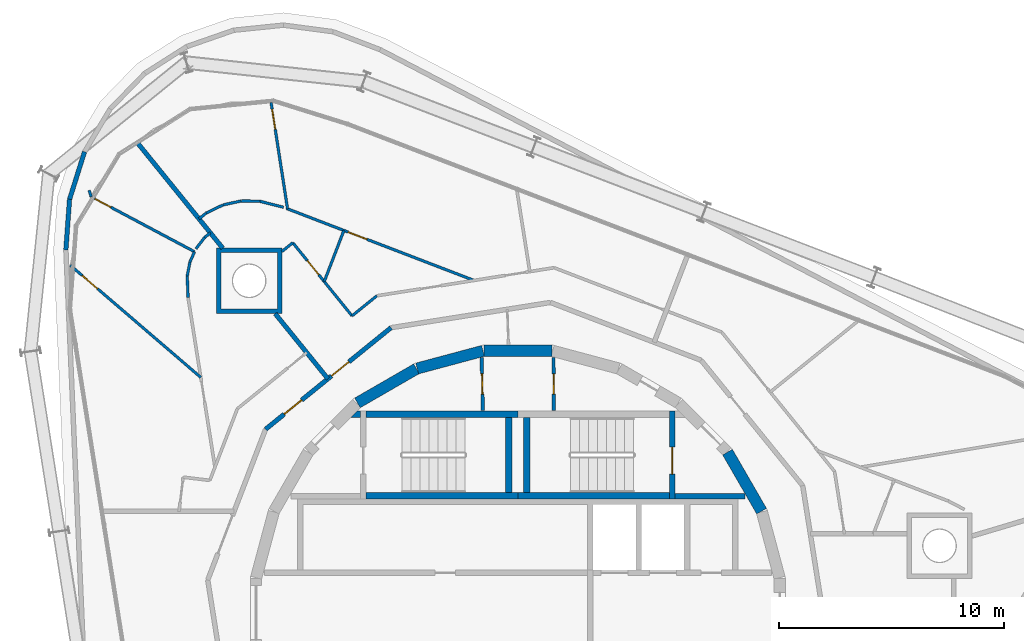
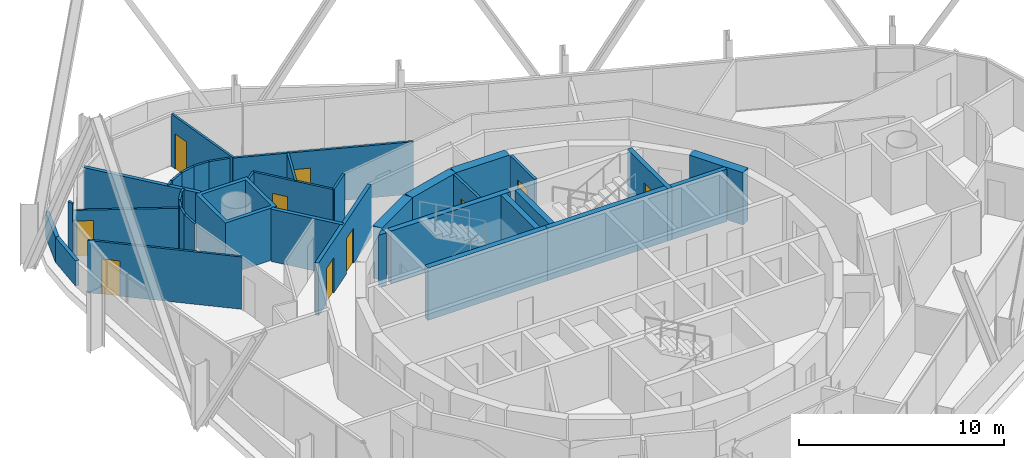
# One storey, part 15 of 19: 39 walls, 10 doors, 10 openings.
"""IFC4 building model written with IfcOpenShell, lengths in metres."""

import ifcopenshell
import ifcopenshell.guid

model = None  # the IFC model being written
_history = None  # IfcOwnerHistory: only IFC2X3 demands one
_inside = {}  # id of a spatial element -> (the spatial element, [elements in it])
_under = {}  # id of a project, library or spatial element -> (it, [spatial elements below it])
_declared = {}  # id of a project -> (the project, [libraries it declares])
_typed = {}  # id of a type object -> (the type object, [elements of that type])
_made_of = {}  # id of a material, layer set ... -> (it, [elements and type objects made of it])


def new_model(schema):
    """Start an empty IFC model of exactly this schema.

    Asked for "IFC4X3", IfcOpenShell would pick the latest addendum, in which some entities
    have other attributes; the version numbers below select the first issue.
    IFC2X3 requires an IfcOwnerHistory on every rooted entity: one is made here for all.
    """
    global model, _history
    if schema == "IFC4X3":
        model = ifcopenshell.file(schema_version=(4, 3, 0, 0))
    else:
        model = ifcopenshell.file(schema=schema)
    _inside.clear()
    _under.clear()
    _declared.clear()
    _typed.clear()
    _made_of.clear()
    _history = None
    if model.schema == "IFC2X3":
        org = make("IfcOrganization", Name="unknown")
        user = make(
            "IfcPersonAndOrganization",
            ThePerson=make("IfcPerson", FamilyName="unknown"),
            TheOrganization=org,
        )
        app = make(
            "IfcApplication",
            ApplicationDeveloper=org,
            Version="unknown",
            ApplicationFullName="unknown",
            ApplicationIdentifier="unknown",
        )
        _history = make(
            "IfcOwnerHistory",
            OwningUser=user,
            OwningApplication=app,
            ChangeAction="ADDED",
            CreationDate=0,
        )
    return model


def make(cls, **values):
    """One entity of the class cls with the attributes given. An attribute that is None is left unset."""
    return model.create_entity(
        cls, **{name: value for name, value in values.items() if value is not None}
    )


def rooted(cls, **values):
    """An entity with a GlobalId (a new one), such as an element, a storey or a relation."""
    return make(cls, GlobalId=ifcopenshell.guid.new(), OwnerHistory=_history, **values)


def si_unit(unit_type, name, prefix=None):
    """IfcSIUnit, for example si_unit("LENGTHUNIT", "METRE", prefix="MILLI")."""
    return make("IfcSIUnit", UnitType=unit_type, Prefix=prefix, Name=name)


def assignment(units):
    """IfcUnitAssignment: the units of a project."""
    return None if units is None else make("IfcUnitAssignment", Units=units)


def point(xyz):
    """IfcCartesianPoint."""
    return None if xyz is None else make("IfcCartesianPoint", Coordinates=xyz)


def direction(xyz):
    """IfcDirection."""
    return None if xyz is None else make("IfcDirection", DirectionRatios=xyz)


def frame(location, z_axis=None, x_axis=None):
    """IfcAxis2Placement3D, a coordinate frame: its origin and axes. An axis left out is left unset."""
    return make(
        "IfcAxis2Placement3D",
        Location=point(location),
        Axis=direction(z_axis),
        RefDirection=direction(x_axis),
    )


def frame_2d(location, x_axis=None):
    """IfcAxis2Placement2D, a coordinate frame in the plane: its origin and x axis."""
    return make(
        "IfcAxis2Placement2D", Location=point(location), RefDirection=direction(x_axis)
    )


def origin():
    """The frame at (0, 0, 0) with its axes left unset."""
    return frame((0.0, 0.0, 0.0))


def place(relative_to, where):
    """IfcLocalPlacement: puts the frame where relative to a parent placement (None: the world)."""
    return make(
        "IfcLocalPlacement", PlacementRelTo=relative_to, RelativePlacement=where
    )


def context(
    kind, dimensions, precision=None, world=None, true_north=None, identifier=None
):
    """IfcGeometricRepresentationContext, for example the 3D "Model" context."""
    return make(
        "IfcGeometricRepresentationContext",
        ContextIdentifier=identifier,
        ContextType=kind,
        CoordinateSpaceDimension=dimensions,
        Precision=precision,
        WorldCoordinateSystem=world,
        TrueNorth=true_north,
    )


def subcontext(parent, identifier, kind, view, scale=None):
    """IfcGeometricRepresentationSubContext, for example "Body" below "Model"."""
    return make(
        "IfcGeometricRepresentationSubContext",
        ContextIdentifier=identifier,
        ContextType=kind,
        ParentContext=parent,
        TargetScale=scale,
        TargetView=view,
    )


def project(units=None, contexts=None):
    """IfcProject with its units and contexts."""
    return rooted(
        "IfcProject",
        Name="project",
        RepresentationContexts=contexts,
        UnitsInContext=assignment(units),
    )


def spatial(cls, under=None, at=None, **own):
    """A site, building, storey or space (cls), placed at a placement, below another one or the project."""
    s = rooted(cls, ObjectPlacement=at, **own)
    if under is not None:
        _under.setdefault(under.id(), (under, []))[1].append(s)
    return s


def polyline(points):
    """IfcPolyline through the points."""
    return make("IfcPolyline", Points=[point(p) for p in points])


def profile(cls, at=None, kind="AREA", **sizes):
    """A parametric profile (cls). Its sizes go by their IFC names, for example OverallWidth=200.0."""
    return make(cls, ProfileType=kind, Position=at, **sizes)


def rectangle(**sizes):
    """IfcRectangleProfileDef."""
    return profile("IfcRectangleProfileDef", **sizes)


def outline(outer, holes=None, kind="AREA"):
    """IfcArbitraryClosedProfileDef: a profile drawn as a closed curve; with holes, ...WithVoids."""
    if holes is None:
        return make("IfcArbitraryClosedProfileDef", ProfileType=kind, OuterCurve=outer)
    return make(
        "IfcArbitraryProfileDefWithVoids",
        ProfileType=kind,
        OuterCurve=outer,
        InnerCurves=holes,
    )


def extrude(swept, where, along, depth):
    """IfcExtrudedAreaSolid: the profile swept, set in the frame where, extruded along a direction by depth."""
    return make(
        "IfcExtrudedAreaSolid",
        SweptArea=swept,
        Position=where,
        ExtrudedDirection=direction(along),
        Depth=depth,
    )


def shape(context_of_items, identifier, shape_type, items):
    """IfcShapeRepresentation: the items that make up one representation, for example the "Body"."""
    return make(
        "IfcShapeRepresentation",
        ContextOfItems=context_of_items,
        RepresentationIdentifier=identifier,
        RepresentationType=shape_type,
        Items=items,
    )


def material(Name=None, Category=None):
    """IfcMaterial."""
    return make("IfcMaterial", Name=Name, Category=Category)


def layer(
    of_material, thickness, ventilated=None, Name=None, Category=None, Priority=None
):
    """IfcMaterialLayer: one layer of a wall or slab, of a material (None: an air gap)."""
    return make(
        "IfcMaterialLayer",
        Material=of_material,
        LayerThickness=thickness,
        IsVentilated=ventilated,
        Name=Name,
        Category=Category,
        Priority=Priority,
    )


def layer_set(layers, Name=None):
    """IfcMaterialLayerSet."""
    return make("IfcMaterialLayerSet", MaterialLayers=layers, LayerSetName=Name)


def made_of(thing, what):
    """Note that an element or type object is made of a material, layer set ...; save() writes the relation."""
    if what is not None:
        _made_of.setdefault(what.id(), (what, []))[1].append(thing)
    return thing


def type_object(cls, material=None, **own):
    """A type object (cls), such as IfcWallType, which elements share."""
    return made_of(rooted(cls, **own), material)


def element(
    cls,
    number,
    at=None,
    inside=None,
    cuts=None,
    type_object=None,
    material=None,
    context=None,
    identifier="Body",
    shape_type=None,
    held_by="IfcProductDefinitionShape",
    body=None,
    shapes=None,
    **own,
):
    """One element of the class cls, such as IfcWall. Its Tag is "e" and its number.

    at: its placement. inside: the storey or other place that contains it. cuts: it is an
    opening in that element (IfcRelVoidsElement). A single representation is given by context,
    identifier, shape_type and body (its items); several are given by shapes. held_by: the class
    of the entity that holds the representations. save() writes the other relations.
    """
    e = rooted(cls, Tag="e%d" % number, ObjectPlacement=at, **own)
    if body is not None:
        shapes = [shape(context, identifier, shape_type, body)]
    if shapes is not None:
        e.Representation = make(held_by, Representations=shapes)
    if inside is not None:
        _inside.setdefault(inside.id(), (inside, []))[1].append(e)
    if cuts is not None:
        rooted(
            "IfcRelVoidsElement", RelatingBuildingElement=cuts, RelatedOpeningElement=e
        )
    if type_object is not None:
        _typed.setdefault(type_object.id(), (type_object, []))[1].append(e)
    return made_of(e, material)


def fill(opening, filler):
    """IfcRelFillsElement: the door or window that sits in an opening."""
    return rooted(
        "IfcRelFillsElement",
        RelatingOpeningElement=opening,
        RelatedBuildingElement=filler,
    )


def aggregate(whole, parts):
    """IfcRelAggregates: a whole, such as a stair, and the parts it consists of."""
    return rooted("IfcRelAggregates", RelatingObject=whole, RelatedObjects=parts)


def save(model, path):
    """Write the relations noted so far, then the file.

    IfcRelAggregates (storeys below a building ...), IfcRelContainedInSpatialStructure (elements
    in a storey), IfcRelDefinesByType, IfcRelAssociatesMaterial and IfcRelDeclares: one each for
    every whole, place, type object, material and project.
    """
    for whole, parts in _under.values():
        aggregate(whole, parts)
    for where, things in _inside.values():
        rooted(
            "IfcRelContainedInSpatialStructure",
            RelatedElements=things,
            RelatingStructure=where,
        )
    for kind, things in _typed.values():
        rooted("IfcRelDefinesByType", RelatedObjects=things, RelatingType=kind)
    for what, things in _made_of.values():
        rooted("IfcRelAssociatesMaterial", RelatedObjects=things, RelatingMaterial=what)
    for by, libraries in _declared.values():
        rooted("IfcRelDeclares", RelatingContext=by, RelatedDefinitions=libraries)
    model.write(path)


model = new_model("IFC4")

# Units and contexts
model_context = context("Model", 3, precision=1e-05, world=origin(), true_north=direction((0.0, 1.0)))
body_context = subcontext(model_context, "Body", "Model", "MODEL_VIEW")
ifc_project = project(units=[si_unit("LENGTHUNIT", "METRE"), si_unit("AREAUNIT", "SQUARE_METRE"), si_unit("VOLUMEUNIT", "CUBIC_METRE"), si_unit("PLANEANGLEUNIT", "RADIAN"), si_unit("MASSUNIT", "GRAM", prefix="KILO")], contexts=[model_context])

# Site, building, storey
site_placement = place(None, origin())
site = spatial("IfcSite", under=ifc_project, at=site_placement, CompositionType="ELEMENT")
building_placement = place(site_placement, origin())
building = spatial("IfcBuilding", under=site, at=building_placement, Name="Spindle Arch Residences", CompositionType="ELEMENT")
storey_placement = place(building_placement, frame((0.0, 0.0, 263.39990234375)))
storey = spatial("IfcBuildingStorey", under=building, at=storey_placement, Name="L67", CompositionType="ELEMENT", Elevation=263.39990234375)

# Walls
ifc_material_1 = material(Name="Concrete C50/60", Category="concrete")
ifc_layer_1 = layer(ifc_material_1, 0.5)
ifc_layer_set_1 = layer_set([ifc_layer_1], Name="Core outline wall 500")
wall_type_1 = type_object("IfcWallType", Name="Core outline wall 500", PredefinedType="SHEAR", material=ifc_layer_set_1)
for number, where, z_axis, x_axis, name in (
    (1, (10.84521484375, 4.510498046875, 0.0), (0.0, 0.0, 1.0), (-0.500087131594, 0.865975092491, 0.0), "Core outline wall 8"),
    (2, (1.516357421875, 11.647216796875, 0.0), (0.0, 0.0, 1.0), (-1.0, 0.0, 0.0), "Core outline wall 12"),
    (3, (-1.5498046875, 11.642822265625, 0.0), (0.0, 0.0, 1.0), (-0.965948410781, -0.258734743916, 0.0), "Core outline wall 13"),
    (4, (-4.510498046875, 10.84521484375, 0.0), (0.0, 0.0, 1.0), (-0.865975092491, -0.500087131594, 0.0), "Core outline wall 14"),
):
    element("IfcWall", number, at=place(storey_placement, frame(where, z_axis=z_axis, x_axis=x_axis)), inside=storey, type_object=wall_type_1, Name=name, PredefinedType="SHEAR", context=body_context, shape_type="SweptSolid", body=[
        extrude(rectangle(XDim=3.03271484375, YDim=0.5, at=frame_2d((1.516357421875, 0.0))), origin(), (0.0, 0.0, 1.0), 3.1201171875),
    ])

# Wall, openings, doors
ifc_material_2 = material(Name="Calcium silicate block, plastered")
ifc_layer_2 = layer(ifc_material_2, 0.199951171875)
ifc_layer_set_2 = layer_set([ifc_layer_2], Name="Corridor wall 200")
wall_type_2 = type_object("IfcWallType", Name="Corridor wall 200", PredefinedType="STANDARD", material=ifc_layer_set_2)
wall_1_placement = place(storey_placement, frame((-5.642578125, 12.67333984375, 0.0), z_axis=(0.0, 0.0, 1.0), x_axis=(-0.777160148113, -0.629302871585, 0.0)))
wall_1 = element("IfcWall", 5, at=wall_1_placement, inside=storey, type_object=wall_type_2, Name="Corridor wall R7A0-W011", PredefinedType="STANDARD", context=body_context, shape_type="SweptSolid", body=[
    extrude(rectangle(XDim=7.180908203125, YDim=0.199951171875, at=frame_2d((3.59033203125, 0.0))), origin(), (0.0, 0.0, 1.0), 3.1201171875),
])
opening_1_placement = place(wall_1_placement, frame((2.410400390625, 0.0, 0.0)))
opening_1 = element("IfcOpeningElement", 6, at=opening_1_placement, cuts=wall_1, Name="Opening R7A0-FD02", PredefinedType="OPENING", context=body_context, shape_type="SweptSolid", body=[
    extrude(rectangle(XDim=1.0, YDim=2.10009765625, at=frame_2d((0.5, 1.050048828125))), frame((0.0, 0.10986328125, 0.0), z_axis=(0.0, -1.0, 0.0), x_axis=(1.0, 0.0, 0.0)), (0.0, 0.0, 1.0), 0.219970703125),
])
opening_2_placement = place(wall_1_placement, frame((5.111572265625, 0.0, 0.0)))
opening_2 = element("IfcOpeningElement", 7, at=opening_2_placement, cuts=wall_1, Name="Opening R7A0-FD03", PredefinedType="OPENING", context=body_context, shape_type="SweptSolid", body=[
    extrude(rectangle(XDim=1.0, YDim=2.10009765625, at=frame_2d((0.5, 1.050048828125))), frame((0.0, 0.10986328125, 0.0), z_axis=(0.0, -1.0, 0.0), x_axis=(1.0, 0.0, 0.0)), (0.0, 0.0, 1.0), 0.219970703125),
])
ifc_material_3 = material(Name="Timber, fire-resisting door set", Category="wood")
door_type_1 = type_object("IfcDoorType", Name="Flat entrance door 1000x2100", OperationType="NOTDEFINED", PredefinedType="DOOR", material=ifc_material_3)
door_1_placement = place(opening_1_placement, origin())
door_1 = element("IfcDoor", 8, at=door_1_placement, inside=storey, type_object=door_type_1, Name="Flat entrance door R7A0-FD02", OperationType="SINGLE_SWING_RIGHT", OverallHeight=2.10009765625, OverallWidth=1.0, PredefinedType="DOOR", context=body_context, shape_type="SweptSolid", body=[
    extrude(rectangle(XDim=1.0, YDim=2.10009765625, at=frame_2d((0.5, 1.050048828125))), frame((0.0, 0.02490234375, 0.0), z_axis=(0.0, -1.0, 0.0), x_axis=(1.0, 0.0, 0.0)), (0.0, 0.0, 1.0), 0.050048828125),
])
fill(opening_1, door_1)
door_2_placement = place(opening_2_placement, origin())
door_2 = element("IfcDoor", 9, at=door_2_placement, inside=storey, type_object=door_type_1, Name="Flat entrance door R7A0-FD03", OperationType="SINGLE_SWING_LEFT", OverallHeight=2.10009765625, OverallWidth=1.0, PredefinedType="DOOR", context=body_context, shape_type="SweptSolid", body=[
    extrude(rectangle(XDim=1.0, YDim=2.10009765625, at=frame_2d((0.5, 1.050048828125))), frame((0.0, 0.02490234375, 0.0), z_axis=(0.0, -1.0, 0.0), x_axis=(1.0, 0.0, 0.0)), (0.0, 0.0, 1.0), 0.050048828125),
])
fill(opening_2, door_2)

# Wall
ifc_material_4 = material(Name="Plasterboard on steel studs", Category="steel")
ifc_layer_3 = layer(ifc_material_4, 0.1201171875)
ifc_layer_set_3 = layer_set([ifc_layer_3], Name="Flat partition 120")
wall_type_3 = type_object("IfcWallType", Name="Flat partition 120", PredefinedType="PARTITIONING", material=ifc_layer_set_3)
wall_2_placement = place(storey_placement, frame((-6.274169921875, 14.092041015625, 0.0), z_axis=(0.0, 0.0, 1.0), x_axis=(-0.777144673245, -0.629321981855, 0.0)))
element("IfcWall", 10, at=wall_2_placement, inside=storey, type_object=wall_type_3, Name="Flat partition R7A0-W039", PredefinedType="PARTITIONING", context=body_context, shape_type="SweptSolid", body=[
    extrude(rectangle(XDim=1.418701171875, YDim=0.1201171875, at=frame_2d((0.70947265625, 0.0))), origin(), (0.0, 0.0, 1.0), 3.1201171875),
])

# Wall, opening, door
wall_3_placement = place(storey_placement, frame((-7.376708984375, 13.19921875, 0.0), z_axis=(0.0, 0.0, 1.0), x_axis=(-0.629382670352, 0.77709552454, 0.0)))
wall_3 = element("IfcWall", 11, at=wall_3_placement, inside=storey, type_object=wall_type_3, Name="Flat partition R7A0-W040", PredefinedType="PARTITIONING", context=body_context, shape_type="SweptSolid", body=[
    extrude(rectangle(XDim=4.188232421875, YDim=0.1201171875, at=frame_2d((2.09423828125, 0.0))), origin(), (0.0, 0.0, 1.0), 3.1201171875),
])
opening_3_placement = place(wall_3_placement, frame((2.364013671875, 0.0, 0.0)))
opening_3 = element("IfcOpeningElement", 12, at=opening_3_placement, cuts=wall_3, Name="Opening R7A0-BD02", PredefinedType="OPENING", context=body_context, shape_type="SweptSolid", body=[
    extrude(rectangle(XDim=0.800048828125, YDim=2.10009765625, at=frame_2d((0.39990234375, 1.050048828125))), frame((0.0, 0.070068359375, 0.0), z_axis=(0.0, -1.0, 0.0), x_axis=(1.0, 0.0, 0.0)), (0.0, 0.0, 1.0), 0.14013671875),
])
ifc_material_5 = material(Name="Timber door set", Category="wood")
door_type_2 = type_object("IfcDoorType", Name="Bathroom door 800x2100", OperationType="NOTDEFINED", PredefinedType="DOOR", material=ifc_material_5)
door_3_placement = place(opening_3_placement, origin())
door_3 = element("IfcDoor", 13, at=door_3_placement, inside=storey, type_object=door_type_2, Name="Bathroom door R7A0-BD02", OperationType="SINGLE_SWING_RIGHT", OverallHeight=2.10009765625, OverallWidth=0.800048828125, PredefinedType="DOOR", context=body_context, shape_type="SweptSolid", body=[
    extrude(rectangle(XDim=0.800048828125, YDim=2.10009765625, at=frame_2d((0.39990234375, 1.050048828125))), frame((0.0, 0.02490234375, 0.0), z_axis=(0.0, -1.0, 0.0), x_axis=(1.0, 0.0, 0.0)), (0.0, 0.0, 1.0), 0.050048828125),
])
fill(opening_3, door_3)

# Wall
wall_4_placement = place(storey_placement, frame((-10.0126953125, 16.453857421875, 0.0), z_axis=(0.0, 0.0, 1.0), x_axis=(-0.777001388062, -0.629498882406, 0.0)))
element("IfcWall", 14, at=wall_4_placement, inside=storey, type_object=wall_type_3, Name="Flat partition R7A0-W041", PredefinedType="PARTITIONING", context=body_context, shape_type="SweptSolid", body=[
    extrude(rectangle(XDim=0.630615234375, YDim=0.1201171875, at=frame_2d((0.3154296875, 0.0))), origin(), (0.0, 0.0, 1.0), 3.1201171875),
])

# Wall, opening, door
wall_5_placement = place(storey_placement, frame((-10.288818359375, 17.977783203125, 0.0), z_axis=(0.0, 0.0, 1.0), x_axis=(0.933579293595, -0.358370900844, 0.0)))
wall_5 = element("IfcWall", 15, at=wall_5_placement, inside=storey, type_object=wall_type_3, Name="Flat partition R7A0-W043", PredefinedType="PARTITIONING", context=body_context, shape_type="SweptSolid", body=[
    extrude(rectangle(XDim=8.931884765625, YDim=0.1201171875, at=frame_2d((4.4658203125, 0.0))), origin(), (0.0, 0.0, 1.0), 3.1201171875),
])
opening_4_placement = place(wall_5_placement, frame((2.93017578125, 0.0, 0.0)))
opening_4 = element("IfcOpeningElement", 16, at=opening_4_placement, cuts=wall_5, Name="Opening R7A0-ID09", PredefinedType="OPENING", context=body_context, shape_type="SweptSolid", body=[
    extrude(rectangle(XDim=0.89990234375, YDim=2.10009765625, at=frame_2d((0.449951171875, 1.050048828125))), frame((0.0, 0.070068359375, 0.0), z_axis=(0.0, -1.0, 0.0), x_axis=(1.0, 0.0, 0.0)), (0.0, 0.0, 1.0), 0.14013671875),
])
ifc_material_6 = material(Name="Timber door set", Category="wood")
door_type_3 = type_object("IfcDoorType", Name="Room door 900x2100", OperationType="NOTDEFINED", PredefinedType="DOOR", material=ifc_material_6)
door_4_placement = place(opening_4_placement, origin())
door_4 = element("IfcDoor", 17, at=door_4_placement, inside=storey, type_object=door_type_3, Name="Room door R7A0-ID09", OperationType="SINGLE_SWING_LEFT", OverallHeight=2.10009765625, OverallWidth=0.89990234375, PredefinedType="DOOR", context=body_context, shape_type="SweptSolid", body=[
    extrude(rectangle(XDim=0.89990234375, YDim=2.10009765625, at=frame_2d((0.449951171875, 1.050048828125))), frame((0.0, 0.02490234375, 0.0), z_axis=(0.0, -1.0, 0.0), x_axis=(1.0, 0.0, 0.0)), (0.0, 0.0, 1.0), 0.050048828125),
])
fill(opening_4, door_4)

wall_6_placement = place(storey_placement, frame((-10.977294921875, 22.690673828125, 0.0), z_axis=(0.0, 0.0, 1.0), x_axis=(0.152888983102, -0.988243370252, 0.0)))
wall_6 = element("IfcWall", 18, at=wall_6_placement, inside=storey, type_object=wall_type_3, Name="Flat partition R7A0-W044", PredefinedType="PARTITIONING", context=body_context, shape_type="SweptSolid", body=[
    extrude(rectangle(XDim=4.78564453125, YDim=0.1201171875, at=frame_2d((2.392822265625, 0.0))), origin(), (0.0, 0.0, 1.0), 3.1201171875),
])
opening_5_placement = place(wall_6_placement, frame((0.300048828125, 0.0, 0.0)))
opening_5 = element("IfcOpeningElement", 19, at=opening_5_placement, cuts=wall_6, Name="Opening R7A0-ID08", PredefinedType="OPENING", context=body_context, shape_type="SweptSolid", body=[
    extrude(rectangle(XDim=0.89990234375, YDim=2.10009765625, at=frame_2d((0.449951171875, 1.050048828125))), frame((0.0, 0.070068359375, 0.0), z_axis=(0.0, -1.0, 0.0), x_axis=(1.0, 0.0, 0.0)), (0.0, 0.0, 1.0), 0.14013671875),
])
door_5_placement = place(opening_5_placement, origin())
door_5 = element("IfcDoor", 20, at=door_5_placement, inside=storey, type_object=door_type_3, Name="Room door R7A0-ID08", OperationType="SINGLE_SWING_RIGHT", OverallHeight=2.10009765625, OverallWidth=0.89990234375, PredefinedType="DOOR", context=body_context, shape_type="SweptSolid", body=[
    extrude(rectangle(XDim=0.89990234375, YDim=2.10009765625, at=frame_2d((0.449951171875, 1.050048828125))), frame((0.0, 0.02490234375, 0.0), z_axis=(0.0, -1.0, 0.0), x_axis=(1.0, 0.0, 0.0)), (0.0, 0.0, 1.0), 0.050048828125),
])
fill(opening_5, door_5)

# Walls
wall_7_placement = place(storey_placement, frame((-7.73974609375, 16.99951171875, 0.0), z_axis=(0.0, 0.0, 1.0), x_axis=(-0.358394723652, -0.93357014844, 0.0)))
element("IfcWall", 21, at=wall_7_placement, inside=storey, type_object=wall_type_3, Name="Flat partition R7A0-W045", PredefinedType="PARTITIONING", context=body_context, shape_type="SweptSolid", body=[
    extrude(rectangle(XDim=2.43603515625, YDim=0.1201171875, at=frame_2d((1.218017578125, 0.0))), origin(), (0.0, 0.0, 1.0), 3.1201171875),
])
wall_8_placement = place(storey_placement, frame((-10.423583984375, 18.029541015625, 0.0), z_axis=(0.0, 0.0, 1.0), x_axis=(-0.968874161395, 0.247553750489, 0.0)))
element("IfcWall", 22, at=wall_8_placement, inside=storey, type_object=wall_type_3, Name="Flat partition R7A0-W046", PredefinedType="PARTITIONING", context=body_context, shape_type="SweptSolid", body=[
    extrude(rectangle(XDim=1.0869140625, YDim=0.1201171875, at=frame_2d((0.54345703125, 0.0))), origin(), (0.0, 0.0, 1.0), 3.1201171875),
])
wall_9_placement = place(storey_placement, frame((-11.4765625, 18.298583984375, 0.0), z_axis=(0.0, 0.0, 1.0), x_axis=(-0.999848939146, 0.017380992165, 0.0)))
element("IfcWall", 23, at=wall_9_placement, inside=storey, type_object=wall_type_3, Name="Flat partition R7A0-W047", PredefinedType="PARTITIONING", context=body_context, shape_type="SweptSolid", body=[
    extrude(rectangle(XDim=0.828857421875, YDim=0.1201171875, at=frame_2d((0.41455078125, 0.0))), origin(), (0.0, 0.0, 1.0), 3.1201171875),
])
wall_10_placement = place(storey_placement, frame((-12.30517578125, 18.31298828125, 0.0), z_axis=(0.0, 0.0, 1.0), x_axis=(-0.976949932909, -0.21346856581, 0.0)))
element("IfcWall", 24, at=wall_10_placement, inside=storey, type_object=wall_type_3, Name="Flat partition R7A0-W048", PredefinedType="PARTITIONING", context=body_context, shape_type="SweptSolid", body=[
    extrude(rectangle(XDim=0.8291015625, YDim=0.1201171875, at=frame_2d((0.41455078125, 0.0))), origin(), (0.0, 0.0, 1.0), 3.1201171875),
])
wall_11_placement = place(storey_placement, frame((-13.115234375, 18.135986328125, 0.0), z_axis=(0.0, 0.0, 1.0), x_axis=(-0.901385111422, -0.43301833784, 0.0)))
element("IfcWall", 25, at=wall_11_placement, inside=storey, type_object=wall_type_3, Name="Flat partition R7A0-W049", PredefinedType="PARTITIONING", context=body_context, shape_type="SweptSolid", body=[
    extrude(rectangle(XDim=0.828857421875, YDim=0.1201171875, at=frame_2d((0.41455078125, 0.0))), origin(), (0.0, 0.0, 1.0), 3.1201171875),
])
wall_12_placement = place(storey_placement, frame((-13.8623046875, 17.777099609375, 0.0), z_axis=(0.0, 0.0, 1.0), x_axis=(-0.776888119785, -0.629638665694, 0.0)))
element("IfcWall", 26, at=wall_12_placement, inside=storey, type_object=wall_type_3, Name="Flat partition R7A0-W050", PredefinedType="PARTITIONING", context=body_context, shape_type="SweptSolid", body=[
    extrude(rectangle(XDim=0.41455078125, YDim=0.1201171875, at=frame_2d((0.207275390625, 0.0))), origin(), (0.0, 0.0, 1.0), 3.1201171875),
])
wall_13_placement = place(storey_placement, frame((-14.322509765625, 16.184326171875, 0.0), z_axis=(0.0, 0.0, 1.0), x_axis=(0.611198506308, 0.791477343887, 0.0)))
element("IfcWall", 27, at=wall_13_placement, inside=storey, type_object=wall_type_3, Name="Flat partition R7A0-W055", PredefinedType="PARTITIONING", context=body_context, shape_type="SweptSolid", body=[
    extrude(rectangle(XDim=0.641845703125, YDim=0.1201171875, at=frame_2d((0.32080078125, 0.0))), origin(), (0.0, 0.0, 1.0), 3.1201171875),
])
wall_14_placement = place(storey_placement, frame((-13.93017578125, 16.6923828125, 0.0), z_axis=(0.0, 0.0, 1.0), x_axis=(0.776695397137, 0.62987638475, 0.0)))
element("IfcWall", 28, at=wall_14_placement, inside=storey, type_object=wall_type_3, Name="Flat partition R7A0-W056", PredefinedType="PARTITIONING", context=body_context, shape_type="SweptSolid", body=[
    extrude(rectangle(XDim=0.321044921875, YDim=0.1201171875, at=frame_2d((0.16064453125, 0.0))), origin(), (0.0, 0.0, 1.0), 3.1201171875),
])
wall_15_placement = place(storey_placement, frame((-14.382080078125, 16.052490234375, 0.0), z_axis=(0.0, 0.0, 1.0), x_axis=(-0.412099912529, -0.911138662385, 0.0)))
element("IfcWall", 29, at=wall_15_placement, inside=storey, type_object=wall_type_3, Name="Flat partition R7A0-W058", PredefinedType="PARTITIONING", context=body_context, shape_type="SweptSolid", body=[
    extrude(rectangle(XDim=0.4970703125, YDim=0.1201171875, at=frame_2d((0.24853515625, 0.0))), origin(), (0.0, 0.0, 1.0), 3.1201171875),
])
wall_16_placement = place(storey_placement, frame((-14.5869140625, 15.599609375, 0.0), z_axis=(0.0, 0.0, 1.0), x_axis=(-0.190920556667, -0.98160549155, 0.0)))
element("IfcWall", 30, at=wall_16_placement, inside=storey, type_object=wall_type_3, Name="Flat partition R7A0-W059", PredefinedType="PARTITIONING", context=body_context, shape_type="SweptSolid", body=[
    extrude(rectangle(XDim=0.641845703125, YDim=0.1201171875, at=frame_2d((0.32080078125, 0.0))), origin(), (0.0, 0.0, 1.0), 3.1201171875),
])
wall_17_placement = place(storey_placement, frame((-14.70947265625, 14.969482421875, 0.0), z_axis=(0.0, 0.0, 1.0), x_axis=(0.040729848009, -0.999170195453, 0.0)))
element("IfcWall", 31, at=wall_17_placement, inside=storey, type_object=wall_type_3, Name="Flat partition R7A0-W060", PredefinedType="PARTITIONING", context=body_context, shape_type="SweptSolid", body=[
    extrude(rectangle(XDim=0.947021484375, YDim=0.1201171875, at=frame_2d((0.4736328125, 0.0))), origin(), (0.0, 0.0, 1.0), 3.1201171875),
])

# Wall, opening, door
wall_18_placement = place(storey_placement, frame((-19.9130859375, 15.450927734375, 0.0), z_axis=(0.0, 0.0, 1.0), x_axis=(0.758623462992, -0.6515293097, 0.0)))
wall_18 = element("IfcWall", 32, at=wall_18_placement, inside=storey, type_object=wall_type_3, Name="Flat partition R7A0-W062", PredefinedType="PARTITIONING", context=body_context, shape_type="SweptSolid", body=[
    extrude(rectangle(XDim=7.65283203125, YDim=0.1201171875, at=frame_2d((3.826416015625, 0.0))), origin(), (0.0, 0.0, 1.0), 3.1201171875),
])
opening_6_placement = place(wall_18_placement, frame((0.699951171875, 0.0, 0.0)))
opening_6 = element("IfcOpeningElement", 33, at=opening_6_placement, cuts=wall_18, Name="Opening R7A0-ID12", PredefinedType="OPENING", context=body_context, shape_type="SweptSolid", body=[
    extrude(rectangle(XDim=0.89990234375, YDim=2.10009765625, at=frame_2d((0.449951171875, 1.050048828125))), frame((0.0, 0.070068359375, 0.0), z_axis=(0.0, -1.0, 0.0), x_axis=(1.0, 0.0, 0.0)), (0.0, 0.0, 1.0), 0.14013671875),
])
door_6_placement = place(opening_6_placement, origin())
door_6 = element("IfcDoor", 34, at=door_6_placement, inside=storey, type_object=door_type_3, Name="Room door R7A0-ID12", OperationType="SINGLE_SWING_LEFT", OverallHeight=2.10009765625, OverallWidth=0.89990234375, PredefinedType="DOOR", context=body_context, shape_type="SweptSolid", body=[
    extrude(rectangle(XDim=0.89990234375, YDim=2.10009765625, at=frame_2d((0.449951171875, 1.050048828125))), frame((0.0, 0.02490234375, 0.0), z_axis=(0.0, -1.0, 0.0), x_axis=(1.0, 0.0, 0.0)), (0.0, 0.0, 1.0), 0.050048828125),
])
fill(opening_6, door_6)

# Wall
wall_19_placement = place(storey_placement, frame((-18.98291015625, 18.498779296875, 0.0), z_axis=(0.0, 0.0, 1.0), x_axis=(-0.29197057896, 0.956427300437, 0.0)))
element("IfcWall", 35, at=wall_19_placement, inside=storey, type_object=wall_type_3, Name="Flat partition R7A0-W097", PredefinedType="PARTITIONING", context=body_context, shape_type="SweptSolid", body=[
    extrude(rectangle(XDim=0.30029296875, YDim=0.1201171875, at=frame_2d((0.150146484375, 0.0))), origin(), (0.0, 0.0, 1.0), 3.1201171875),
])

# Wall, opening, door
ifc_material_7 = material(Name="Plasterboard on steel studs", Category="steel")
ifc_layer_4 = layer(ifc_material_7, 0.1201171875)
ifc_layer_set_4 = layer_set([ifc_layer_4], Name="Flat partition 120 under beam 2730")
wall_type_4 = type_object("IfcWallType", Name="Flat partition 120 under beam 2730", PredefinedType="PARTITIONING", material=ifc_layer_set_4)
wall_20_placement = place(storey_placement, frame((-18.98291015625, 18.498779296875, 0.0), z_axis=(0.0, 0.0, 1.0), x_axis=(0.882948840489, -0.469469216328, 0.0)))
wall_20 = element("IfcWall", 36, at=wall_20_placement, inside=storey, type_object=wall_type_4, Name="Flat partition R7A0-W057", PredefinedType="PARTITIONING", context=body_context, shape_type="SweptSolid", body=[
    extrude(rectangle(XDim=5.210693359375, YDim=0.1201171875, at=frame_2d((2.60546875, 0.0))), origin(), (0.0, 0.0, 1.0), 2.72998046875),
])
opening_7_placement = place(wall_20_placement, frame((0.199951171875, 0.0, 0.0)))
opening_7 = element("IfcOpeningElement", 37, at=opening_7_placement, cuts=wall_20, Name="Opening R7A0-BD03", PredefinedType="OPENING", context=body_context, shape_type="SweptSolid", body=[
    extrude(rectangle(XDim=0.800048828125, YDim=2.10009765625, at=frame_2d((0.39990234375, 1.050048828125))), frame((0.0, 0.070068359375, 0.0), z_axis=(0.0, -1.0, 0.0), x_axis=(1.0, 0.0, 0.0)), (0.0, 0.0, 1.0), 0.14013671875),
])
door_7_placement = place(opening_7_placement, origin())
door_7 = element("IfcDoor", 38, at=door_7_placement, inside=storey, type_object=door_type_2, Name="Bathroom door R7A0-BD03", OperationType="SINGLE_SWING_LEFT", OverallHeight=2.10009765625, OverallWidth=0.800048828125, PredefinedType="DOOR", context=body_context, shape_type="SweptSolid", body=[
    extrude(rectangle(XDim=0.800048828125, YDim=2.10009765625, at=frame_2d((0.39990234375, 1.050048828125))), frame((0.0, 0.02490234375, 0.0), z_axis=(0.0, -1.0, 0.0), x_axis=(1.0, 0.0, 0.0)), (0.0, 0.0, 1.0), 0.050048828125),
])
fill(opening_7, door_7)

# Walls
ifc_material_8 = material(Name="Calcium silicate block, plastered")
ifc_layer_5 = layer(ifc_material_8, 0.199951171875)
ifc_layer_set_5 = layer_set([ifc_layer_5], Name="Flat party wall 200")
wall_type_5 = type_object("IfcWallType", Name="Flat party wall 200", PredefinedType="STANDARD", material=ifc_layer_set_5)
wall_21_placement = place(storey_placement, frame((-10.796142578125, 13.298828125, 0.0), z_axis=(0.0, 0.0, 1.0), x_axis=(0.629290499381, -0.777170166301, 0.0)))
element("IfcWall", 39, at=wall_21_placement, inside=storey, type_object=wall_type_5, Name="Flat party wall R7A0-W025", PredefinedType="STANDARD", context=body_context, shape_type="SweptSolid", body=[
    extrude(rectangle(XDim=3.7294921875, YDim=0.199951171875, at=frame_2d((1.86474609375, 0.0))), origin(), (0.0, 0.0, 1.0), 3.1201171875),
])
wall_22_placement = place(storey_placement, frame((-16.953369140625, 20.935546875, 0.0), z_axis=(0.0, 0.0, 1.0), x_axis=(0.629331057166, -0.777137324085, 0.0)))
element("IfcWall", 40, at=wall_22_placement, inside=storey, type_object=wall_type_5, Name="Flat party wall R7A0-W026", PredefinedType="STANDARD", context=body_context, shape_type="SweptSolid", body=[
    extrude(rectangle(XDim=6.080078125, YDim=0.199951171875, at=frame_2d((3.0400390625, 0.0))), origin(), (0.0, 0.0, 1.0), 3.1201171875),
])
ifc_material_9 = material(Name="Calcium silicate block, plastered")
ifc_layer_6 = layer(ifc_material_9, 0.199951171875)
ifc_layer_set_6 = layer_set([ifc_layer_6], Name="Mega-column casing wall 200")
wall_type_6 = type_object("IfcWallType", Name="Mega-column casing wall 200", PredefinedType="STANDARD", material=ifc_layer_set_6)
wall_23_placement = place(storey_placement, origin())
element("IfcWall", 41, at=wall_23_placement, inside=storey, type_object=wall_type_6, Name="Mega-column casing wall R7A0-WC02", PredefinedType="STANDARD", context=body_context, shape_type="SweptSolid", body=[
    extrude(outline(polyline([(-10.502685546875, 16.21044921875), (-10.502685546875, 13.310546875), (-13.40283203125, 13.310546875), (-13.40283203125, 16.21044921875), (-10.502685546875, 16.21044921875)]), holes=[polyline([(-13.202880859375, 13.510498046875), (-10.702880859375, 13.510498046875), (-10.702880859375, 16.010498046875), (-13.202880859375, 16.010498046875), (-13.202880859375, 13.510498046875)])]), origin(), (0.0, 0.0, 1.0), 3.1201171875),
])
ifc_material_10 = material(Name="Concrete C40/50", Category="concrete")
ifc_layer_7 = layer(ifc_material_10, 0.199951171875)
ifc_layer_set_7 = layer_set([ifc_layer_7], Name="Roof parapet 1500")
wall_type_7 = type_object("IfcWallType", Name="Roof parapet 1500", PredefinedType="PARAPET", material=ifc_layer_set_7)
wall_24_placement = place(storey_placement, frame((-20.107666015625, 16.136962890625, 0.030029296875), z_axis=(0.0, 0.0, 1.0), x_axis=(0.072676527807, 0.997355564634, 0.0)))
element("IfcWall", 42, at=wall_24_placement, inside=storey, type_object=wall_type_7, Name="Roof parapet L66 1.12", PredefinedType="PARAPET", context=body_context, shape_type="SweptSolid", body=[
    extrude(rectangle(XDim=2.25732421875, YDim=0.199951171875, at=frame_2d((1.128662109375, 0.0))), origin(), (0.0, 0.0, 1.0), 1.5),
])
wall_25_placement = place(storey_placement, frame((-19.94580078125, 18.377197265625, 0.030029296875), z_axis=(0.0, 0.0, 1.0), x_axis=(0.300669854096, 0.953728283547, 0.0)))
element("IfcWall", 43, at=wall_25_placement, inside=storey, type_object=wall_type_7, Name="Roof parapet L66 1.13", PredefinedType="PARAPET", context=body_context, shape_type="SweptSolid", body=[
    extrude(rectangle(XDim=2.22802734375, YDim=0.199951171875, at=frame_2d((1.114013671875, 0.0))), origin(), (0.0, 0.0, 1.0), 1.5),
])

# Wall, opening, door
ifc_material_11 = material(Name="Concrete C25/30", Category="concrete")
ifc_layer_8 = layer(ifc_material_11, 0.14990234375)
ifc_layer_set_8 = layer_set([ifc_layer_8], Name="Service room partition 150")
wall_type_8 = type_object("IfcWallType", Name="Service room partition 150", PredefinedType="PARTITIONING", material=ifc_layer_set_8)
wall_26_placement = place(storey_placement, frame((1.585693359375, 11.3544921875, 0.0), z_axis=(0.0, 0.0, 1.0), x_axis=(0.007227482881, -0.999973881405, 0.0)))
wall_26 = element("IfcWall", 44, at=wall_26_placement, inside=storey, type_object=wall_type_8, Name="Core service room partition", PredefinedType="PARTITIONING", context=body_context, shape_type="SweptSolid", body=[
    extrude(rectangle(XDim=2.364501953125, YDim=0.14990234375, at=frame_2d((1.18212890625, 0.0))), origin(), (0.0, 0.0, 1.0), 3.1201171875),
])
opening_8_placement = place(wall_26_placement, frame((0.732177734375, 0.0, 0.0)))
opening_8 = element("IfcOpeningElement", 45, at=opening_8_placement, cuts=wall_26, Name="Opening R7A0-WD05", PredefinedType="OPENING", context=body_context, shape_type="SweptSolid", body=[
    extrude(rectangle(XDim=0.89990234375, YDim=2.10009765625, at=frame_2d((0.449951171875, 1.050048828125))), frame((0.0, 0.0849609375, 0.0), z_axis=(0.0, -1.0, 0.0), x_axis=(1.0, 0.0, 0.0)), (0.0, 0.0, 1.0), 0.169921875),
])
ifc_material_12 = material(Name="Steel, fire-resisting door", Category="steel")
door_type_4 = type_object("IfcDoorType", Name="Service room door 900x2100", OperationType="SINGLE_SWING_LEFT", PredefinedType="DOOR", material=ifc_material_12)
door_8_placement = place(opening_8_placement, origin())
door_8 = element("IfcDoor", 46, at=door_8_placement, inside=storey, type_object=door_type_4, Name="Service room door R7A0-WD05", OperationType="SINGLE_SWING_LEFT", OverallHeight=2.10009765625, OverallWidth=0.89990234375, PredefinedType="DOOR", context=body_context, shape_type="SweptSolid", body=[
    extrude(rectangle(XDim=0.89990234375, YDim=2.10009765625, at=frame_2d((0.449951171875, 1.050048828125))), frame((0.0, 0.02490234375, 0.0), z_axis=(0.0, -1.0, 0.0), x_axis=(1.0, 0.0, 0.0)), (0.0, 0.0, 1.0), 0.050048828125),
])
fill(opening_8, door_8)

wall_27_placement = place(storey_placement, frame((-1.555419921875, 8.989990234375, 0.0), z_axis=(0.0, 0.0, 1.0), x_axis=(-0.024125549686, 0.999708936567, 0.0)))
wall_27 = element("IfcWall", 47, at=wall_27_placement, inside=storey, type_object=wall_type_8, Name="Core service room partition", PredefinedType="PARTITIONING", context=body_context, shape_type="SweptSolid", body=[
    extrude(rectangle(XDim=2.35791015625, YDim=0.14990234375, at=frame_2d((1.178955078125, 0.0))), origin(), (0.0, 0.0, 1.0), 3.1201171875),
])
opening_9_placement = place(wall_27_placement, frame((0.72900390625, 0.0, 0.0)))
opening_9 = element("IfcOpeningElement", 48, at=opening_9_placement, cuts=wall_27, Name="Opening R7A0-WD06", PredefinedType="OPENING", context=body_context, shape_type="SweptSolid", body=[
    extrude(rectangle(XDim=0.89990234375, YDim=2.10009765625, at=frame_2d((0.449951171875, 1.050048828125))), frame((0.0, 0.0849609375, 0.0), z_axis=(0.0, -1.0, 0.0), x_axis=(1.0, 0.0, 0.0)), (0.0, 0.0, 1.0), 0.169921875),
])
door_9_placement = place(opening_9_placement, origin())
door_9 = element("IfcDoor", 49, at=door_9_placement, inside=storey, type_object=door_type_4, Name="Service room door R7A0-WD06", OperationType="SINGLE_SWING_RIGHT", OverallHeight=2.10009765625, OverallWidth=0.89990234375, PredefinedType="DOOR", context=body_context, shape_type="SweptSolid", body=[
    extrude(rectangle(XDim=0.89990234375, YDim=2.10009765625, at=frame_2d((0.449951171875, 1.050048828125))), frame((0.0, 0.02490234375, 0.0), z_axis=(0.0, -1.0, 0.0), x_axis=(1.0, 0.0, 0.0)), (0.0, 0.0, 1.0), 0.050048828125),
])
fill(opening_9, door_9)

# Walls
ifc_material_13 = material(Name="Concrete C40/50", Category="concrete")
ifc_layer_9 = layer(ifc_material_13, 0.25)
ifc_layer_set_9 = layer_set([ifc_layer_9], Name="Stair airlock wall 250")
wall_type_9 = type_object("IfcWallType", Name="Stair airlock wall 250", PredefinedType="SHEAR", material=ifc_layer_set_9)
wall_28_placement = place(storey_placement, frame((7.0, 5.175048828125, 0.0), z_axis=(0.0, 0.0, 1.0), x_axis=(1.0, 0.0, 0.0)))
element("IfcWall", 50, at=wall_28_placement, inside=storey, type_object=wall_type_9, Name="Stair ST-1 airlock wall S", PredefinedType="SHEAR", context=body_context, shape_type="SweptSolid", body=[
    extrude(rectangle(XDim=3.10009765625, YDim=0.25, at=frame_2d((1.550048828125, 0.0))), origin(), (0.0, 0.0, 1.0), 3.1201171875),
])
ifc_material_14 = material(Name="Concrete C40/50", Category="concrete")
wall_type_10 = type_object("IfcWallType", Name="Stair airlock wall profile", PredefinedType="SHEAR", material=ifc_material_14)
wall_29_placement = place(storey_placement, origin())
element("IfcWall", 51, at=wall_29_placement, inside=storey, type_object=wall_type_10, Name="Stair ST-2 airlock wall N", PredefinedType="SHEAR", context=body_context, shape_type="SweptSolid", body=[
    extrude(outline(polyline([(-7.148193359375, 8.969970703125), (-7.0, 8.969970703125), (-7.0, 8.669921875), (-7.4482421875, 8.669921875), (-7.148193359375, 8.969970703125)])), origin(), (0.0, 0.0, 1.0), 3.1201171875),
])

# Wall, opening, door
ifc_material_15 = material(Name="Concrete C50/60", Category="concrete")
ifc_layer_10 = layer(ifc_material_15, 0.25)
ifc_layer_set_10 = layer_set([ifc_layer_10], Name="Stair enclosure wall 250")
wall_type_11 = type_object("IfcWallType", Name="Stair enclosure wall 250", PredefinedType="SHEAR", material=ifc_layer_set_10)
wall_30_placement = place(storey_placement, frame((6.875, 5.050048828125, 0.0), z_axis=(0.0, 0.0, 1.0), x_axis=(0.0, 1.0, 0.0)))
wall_30 = element("IfcWall", 52, at=wall_30_placement, inside=storey, type_object=wall_type_11, Name="Stair ST-1 door wall", PredefinedType="SHEAR", context=body_context, shape_type="SweptSolid", body=[
    extrude(rectangle(XDim=3.919921875, YDim=0.25, at=frame_2d((1.9599609375, 0.0))), origin(), (0.0, 0.0, 1.0), 3.1201171875),
])
opening_10_placement = place(wall_30_placement, frame((1.110107421875, 0.0, 0.0)))
opening_10 = element("IfcOpeningElement", 53, at=opening_10_placement, cuts=wall_30, Name="Opening R7A0-SD01", PredefinedType="OPENING", context=body_context, shape_type="SweptSolid", body=[
    extrude(rectangle(XDim=1.199951171875, YDim=2.10009765625, at=frame_2d((0.60009765625, 1.050048828125))), frame((0.0, 0.135009765625, 0.0), z_axis=(0.0, -1.0, 0.0), x_axis=(1.0, 0.0, 0.0)), (0.0, 0.0, 1.0), 0.27001953125),
])
ifc_material_16 = material(Name="Steel, fire-resisting door", Category="steel")
door_type_5 = type_object("IfcDoorType", Name="Stair door 1200x2100", OperationType="SINGLE_SWING_RIGHT", PredefinedType="DOOR", material=ifc_material_16)
door_10_placement = place(opening_10_placement, origin())
door_10 = element("IfcDoor", 54, at=door_10_placement, inside=storey, type_object=door_type_5, Name="Stair door R7A0-SD01", OperationType="SINGLE_SWING_LEFT", OverallHeight=2.10009765625, OverallWidth=1.199951171875, PredefinedType="DOOR", context=body_context, shape_type="SweptSolid", body=[
    extrude(rectangle(XDim=1.199951171875, YDim=2.10009765625, at=frame_2d((0.60009765625, 1.050048828125))), frame((0.0, 0.02490234375, 0.0), z_axis=(0.0, -1.0, 0.0), x_axis=(1.0, 0.0, 0.0)), (0.0, 0.0, 1.0), 0.050048828125),
])
fill(opening_10, door_10)

# Walls
ifc_material_17 = material(Name="Concrete C50/60", Category="concrete")
ifc_layer_11 = layer(ifc_material_17, 0.300048828125)
ifc_layer_set_11 = layer_set([ifc_layer_11], Name="Stair enclosure wall 300")
wall_type_12 = type_object("IfcWallType", Name="Stair enclosure wall 300", PredefinedType="SHEAR", material=ifc_layer_set_11)
wall_31_placement = place(storey_placement, frame((0.0, 5.199951171875, 0.0), z_axis=(0.0, 0.0, 1.0), x_axis=(1.0, 0.0, 0.0)))
element("IfcWall", 55, at=wall_31_placement, inside=storey, type_object=wall_type_12, Name="Stair ST-1 enclosure wall S", PredefinedType="SHEAR", context=body_context, shape_type="SweptSolid", body=[
    extrude(rectangle(XDim=6.75, YDim=0.300048828125, at=frame_2d((3.375, 0.0))), origin(), (0.0, 0.0, 1.0), 3.1201171875),
])
wall_32_placement = place(storey_placement, frame((0.39990234375, 5.35009765625, 0.0), z_axis=(0.0, 0.0, 1.0), x_axis=(0.0, 1.0, 0.0)))
element("IfcWall", 56, at=wall_32_placement, inside=storey, type_object=wall_type_12, Name="Stair ST-1 enclosure wall F", PredefinedType="SHEAR", context=body_context, shape_type="SweptSolid", body=[
    extrude(rectangle(XDim=3.31982421875, YDim=0.300048828125, at=frame_2d((1.659912109375, 0.0))), origin(), (0.0, 0.0, 1.0), 3.1201171875),
])
for number, where, z_axis, x_axis, name in (
    (57, (-6.75, 5.199951171875, 0.0), (0.0, 0.0, 1.0), (1.0, 0.0, 0.0), "Stair ST-2 enclosure wall S"),
    (58, (-6.75, 8.820068359375, 0.0), (0.0, 0.0, 1.0), (1.0, 0.0, 0.0), "Stair ST-2 enclosure wall N"),
):
    element("IfcWall", number, at=place(storey_placement, frame(where, z_axis=z_axis, x_axis=x_axis)), inside=storey, type_object=wall_type_12, Name=name, PredefinedType="SHEAR", context=body_context, shape_type="SweptSolid", body=[
        extrude(rectangle(XDim=6.75, YDim=0.300048828125, at=frame_2d((3.375, 0.0))), origin(), (0.0, 0.0, 1.0), 3.1201171875),
    ])
wall_33_placement = place(storey_placement, frame((-0.39990234375, 5.35009765625, 0.0), z_axis=(0.0, 0.0, 1.0), x_axis=(0.0, 1.0, 0.0)))
element("IfcWall", 59, at=wall_33_placement, inside=storey, type_object=wall_type_12, Name="Stair ST-2 enclosure wall F", PredefinedType="SHEAR", context=body_context, shape_type="SweptSolid", body=[
    extrude(rectangle(XDim=3.31982421875, YDim=0.300048828125, at=frame_2d((1.659912109375, 0.0))), origin(), (0.0, 0.0, 1.0), 3.1201171875),
])

save(model, "model.ifc")
